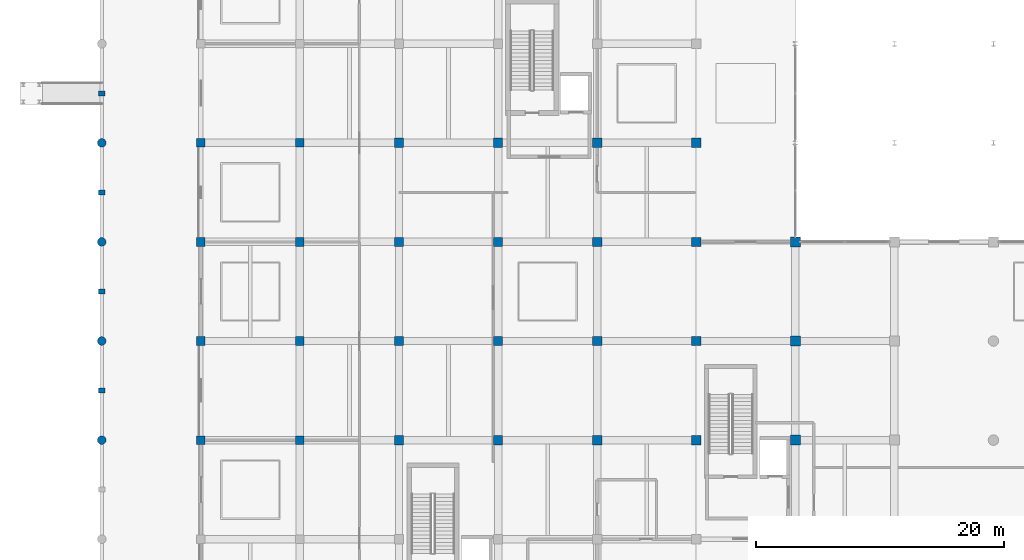
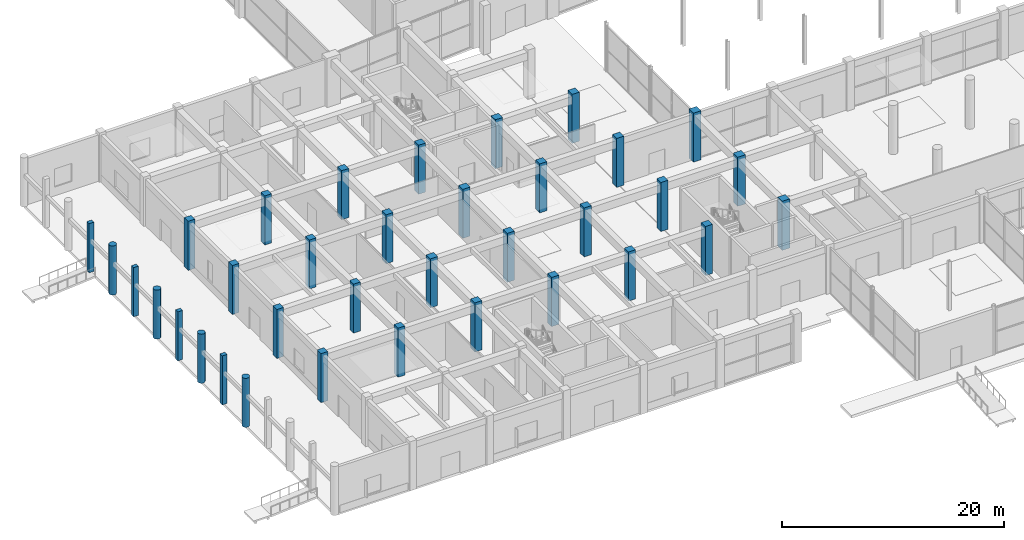
# One storey, part 3 of 86: 35 columns.
"""IFC4 building model written with IfcOpenShell, lengths in metres."""

from ifc_helpers import new_model, si_unit, direction, frame, origin, origin_2d, place, context, subcontext, project, spatial, rectangle, circle, extrude, material, material_profile, profile_set, type_object, element, save


model = new_model("IFC4")

# Units and contexts
model_context = context("Model", 3, precision=1e-05, world=origin(), true_north=direction((0.0, 1.0)))
body_context = subcontext(model_context, "Body", "Model", "MODEL_VIEW")
ifc_project = project(units=[si_unit("LENGTHUNIT", "METRE"), si_unit("AREAUNIT", "SQUARE_METRE"), si_unit("VOLUMEUNIT", "CUBIC_METRE"), si_unit("PLANEANGLEUNIT", "RADIAN"), si_unit("MASSUNIT", "GRAM", prefix="KILO")], contexts=[model_context])

# Site, building, storey
site_placement = place(None, origin())
site = spatial("IfcSite", under=ifc_project, at=site_placement, CompositionType="ELEMENT")
building_placement = place(site_placement, origin())
building = spatial("IfcBuilding", under=site, at=building_placement, Name="Kenh Van Central Station", CompositionType="ELEMENT")
storey_placement = place(building_placement, origin())
storey = spatial("IfcBuildingStorey", under=building, at=storey_placement, Name="L00", CompositionType="ELEMENT", Elevation=0.0)

# Columns
ifc_material_1 = material(Name="Concrete C40/50", Category="concrete")
ifc_material_profile_1 = material_profile(ifc_material_1, rectangle(XDim=0.699951171875, YDim=0.699951171875, at=origin_2d()), Name="RC 700x700")
ifc_profile_set_1 = profile_set([ifc_material_profile_1], Name="Concrete C40/50")
column_type_1 = type_object("IfcColumnType", Name="COL-RC-700x700", PredefinedType="COLUMN", material=ifc_profile_set_1)
for number, where, z_axis, x_axis, name in (
    (1, (8.0, 24.0, 0.0), (0.0, 0.0, 1.0), (1.0, 0.0, 0.0), "L00 column CW-008-024"),
    (2, (8.0, 32.0, 0.0), (0.0, 0.0, 1.0), (1.0, 0.0, 0.0), "L00 column CW-008-032"),
    (3, (8.0, 40.0, 0.0), (0.0, 0.0, 1.0), (1.0, 0.0, 0.0), "L00 column CW-008-040"),
    (4, (8.0, 48.0, 0.0), (0.0, 0.0, 1.0), (1.0, 0.0, 0.0), "L00 column CW-008-048"),
    (5, (16.0, 24.0, 0.0), (0.0, 0.0, 1.0), (1.0, 0.0, 0.0), "L00 column CW-016-024"),
    (6, (16.0, 32.0, 0.0), (0.0, 0.0, 1.0), (1.0, 0.0, 0.0), "L00 column CW-016-032"),
    (7, (16.0, 40.0, 0.0), (0.0, 0.0, 1.0), (1.0, 0.0, 0.0), "L00 column CW-016-040"),
    (8, (16.0, 48.0, 0.0), (0.0, 0.0, 1.0), (1.0, 0.0, 0.0), "L00 column CW-016-048"),
):
    element("IfcColumn", number, at=place(storey_placement, frame(where, z_axis=z_axis, x_axis=x_axis)), inside=storey, type_object=column_type_1, Name=name, PredefinedType="COLUMN", context=body_context, shape_type="SweptSolid", body=[
        extrude(rectangle(XDim=0.699951171875, YDim=0.699951171875, at=origin_2d()), origin(), (0.0, 0.0, 1.0), 5.39990234375),
    ])
ifc_material_profile_2 = material_profile(ifc_material_1, rectangle(XDim=0.75, YDim=0.75, at=origin_2d()), Name="RC 750x750")
ifc_profile_set_2 = profile_set([ifc_material_profile_2], Name="Concrete C40/50")
column_type_2 = type_object("IfcColumnType", Name="COL-RC-750x750", PredefinedType="COLUMN", material=ifc_profile_set_2)
for number, where, z_axis, x_axis, name in (
    (9, (24.0, 24.0, 0.0), (0.0, 0.0, 1.0), (1.0, 0.0, 0.0), "L00 column CW-024-024"),
    (10, (24.0, 32.0, 0.0), (0.0, 0.0, 1.0), (1.0, 0.0, 0.0), "L00 column CW-024-032"),
    (11, (24.0, 40.0, 0.0), (0.0, 0.0, 1.0), (1.0, 0.0, 0.0), "L00 column CW-024-040"),
    (12, (24.0, 48.0, 0.0), (0.0, 0.0, 1.0), (1.0, 0.0, 0.0), "L00 column CW-024-048"),
    (13, (32.0, 24.0, 0.0), (0.0, 0.0, 1.0), (1.0, 0.0, 0.0), "L00 column CW-032-024"),
    (14, (32.0, 32.0, 0.0), (0.0, 0.0, 1.0), (1.0, 0.0, 0.0), "L00 column CW-032-032"),
    (15, (32.0, 40.0, 0.0), (0.0, 0.0, 1.0), (1.0, 0.0, 0.0), "L00 column CW-032-040"),
    (16, (32.0, 48.0, 0.0), (0.0, 0.0, 1.0), (1.0, 0.0, 0.0), "L00 column CW-032-048"),
    (17, (40.0, 24.0, 0.0), (0.0, 0.0, 1.0), (1.0, 0.0, 0.0), "L00 column CW-040-024"),
    (18, (40.0, 32.0, 0.0), (0.0, 0.0, 1.0), (1.0, 0.0, 0.0), "L00 column CW-040-032"),
    (19, (40.0, 40.0, 0.0), (0.0, 0.0, 1.0), (1.0, 0.0, 0.0), "L00 column CW-040-040"),
    (20, (40.0, 48.0, 0.0), (0.0, 0.0, 1.0), (1.0, 0.0, 0.0), "L00 column CW-040-048"),
    (21, (48.0, 24.0, 0.0), (0.0, 0.0, 1.0), (1.0, 0.0, 0.0), "L00 column CW-048-024"),
    (22, (48.0, 32.0, 0.0), (0.0, 0.0, 1.0), (1.0, 0.0, 0.0), "L00 column CW-048-032"),
    (23, (48.0, 40.0, 0.0), (0.0, 0.0, 1.0), (1.0, 0.0, 0.0), "L00 column CW-048-040"),
    (24, (48.0, 48.0, 0.0), (0.0, 0.0, 1.0), (1.0, 0.0, 0.0), "L00 column CW-048-048"),
):
    element("IfcColumn", number, at=place(storey_placement, frame(where, z_axis=z_axis, x_axis=x_axis)), inside=storey, type_object=column_type_2, Name=name, PredefinedType="COLUMN", context=body_context, shape_type="SweptSolid", body=[
        extrude(rectangle(XDim=0.75, YDim=0.75, at=origin_2d()), origin(), (0.0, 0.0, 1.0), 5.39990234375),
    ])
ifc_material_profile_3 = material_profile(ifc_material_1, rectangle(XDim=0.800048828125, YDim=0.800048828125, at=origin_2d()), Name="RC 800x800")
ifc_profile_set_3 = profile_set([ifc_material_profile_3], Name="Concrete C40/50")
column_type_3 = type_object("IfcColumnType", Name="COL-RC-800x800", PredefinedType="COLUMN", material=ifc_profile_set_3)
for number, where, z_axis, x_axis, name in (
    (25, (56.0, 24.0, 0.0), (0.0, 0.0, 1.0), (1.0, 0.0, 0.0), "L00 column CC-056-024"),
    (26, (56.0, 32.0, 0.0), (0.0, 0.0, 1.0), (1.0, 0.0, 0.0), "L00 column CC-056-032"),
    (27, (56.0, 40.0, 0.0), (0.0, 0.0, 1.0), (1.0, 0.0, 0.0), "L00 column CC-056-040"),
):
    element("IfcColumn", number, at=place(storey_placement, frame(where, z_axis=z_axis, x_axis=x_axis)), inside=storey, type_object=column_type_3, Name=name, PredefinedType="COLUMN", context=body_context, shape_type="SweptSolid", body=[
        extrude(rectangle(XDim=0.800048828125, YDim=0.800048828125, at=origin_2d()), origin(), (0.0, 0.0, 1.0), 5.39990234375),
    ])
ifc_material_profile_4 = material_profile(ifc_material_1, circle(Radius=0.35009765625, at=origin_2d()), Name="RC D700")
ifc_profile_set_4 = profile_set([ifc_material_profile_4], Name="Concrete C40/50")
column_type_4 = type_object("IfcColumnType", Name="COL-RC-D700", PredefinedType="COLUMN", material=ifc_profile_set_4)
for number, where, z_axis, x_axis, name in (
    (28, (0.0, 24.0, 0.0), (0.0, 0.0, 1.0), (1.0, 0.0, 0.0), "L00 column CW-000-024"),
    (29, (0.0, 32.0, 0.0), (0.0, 0.0, 1.0), (1.0, 0.0, 0.0), "L00 column CW-000-032"),
    (30, (0.0, 40.0, 0.0), (0.0, 0.0, 1.0), (1.0, 0.0, 0.0), "L00 column CW-000-040"),
    (31, (0.0, 48.0, 0.0), (0.0, 0.0, 1.0), (1.0, 0.0, 0.0), "L00 column CW-000-048"),
):
    element("IfcColumn", number, at=place(storey_placement, frame(where, z_axis=z_axis, x_axis=x_axis)), inside=storey, type_object=column_type_4, Name=name, PredefinedType="COLUMN", context=body_context, shape_type="SweptSolid", body=[
        extrude(circle(Radius=0.35009765625, at=origin_2d()), origin(), (0.0, 0.0, 1.0), 5.39990234375),
    ])
ifc_material_2 = material(Name="Concrete C35/45", Category="concrete")
ifc_material_profile_5 = material_profile(ifc_material_2, rectangle(XDim=0.5, YDim=0.39990234375, at=origin_2d()), Name="RC 500x400")
ifc_profile_set_5 = profile_set([ifc_material_profile_5], Name="Concrete C35/45")
column_type_5 = type_object("IfcColumnType", Name="PIL-RC-500x400", PredefinedType="PILASTER", material=ifc_profile_set_5)
for number, where, z_axis, x_axis, name in (
    (32, (0.0, 28.0, 0.0), (0.0, 0.0, 1.0), (1.0, 0.0, 0.0), "L00 column PIL-W-02"),
    (33, (0.0, 36.0, 0.0), (0.0, 0.0, 1.0), (1.0, 0.0, 0.0), "L00 column PIL-W-03"),
    (34, (0.0, 44.0, 0.0), (0.0, 0.0, 1.0), (1.0, 0.0, 0.0), "L00 column PIL-W-04"),
    (35, (0.0, 52.0, 0.0), (0.0, 0.0, 1.0), (1.0, 0.0, 0.0), "L00 column PIL-W-05"),
):
    element("IfcColumn", number, at=place(storey_placement, frame(where, z_axis=z_axis, x_axis=x_axis)), inside=storey, type_object=column_type_5, Name=name, PredefinedType="PILASTER", context=body_context, shape_type="SweptSolid", body=[
        extrude(rectangle(XDim=0.5, YDim=0.39990234375, at=origin_2d()), origin(), (0.0, 0.0, 1.0), 5.39990234375),
    ])

save(model, "model.ifc")
